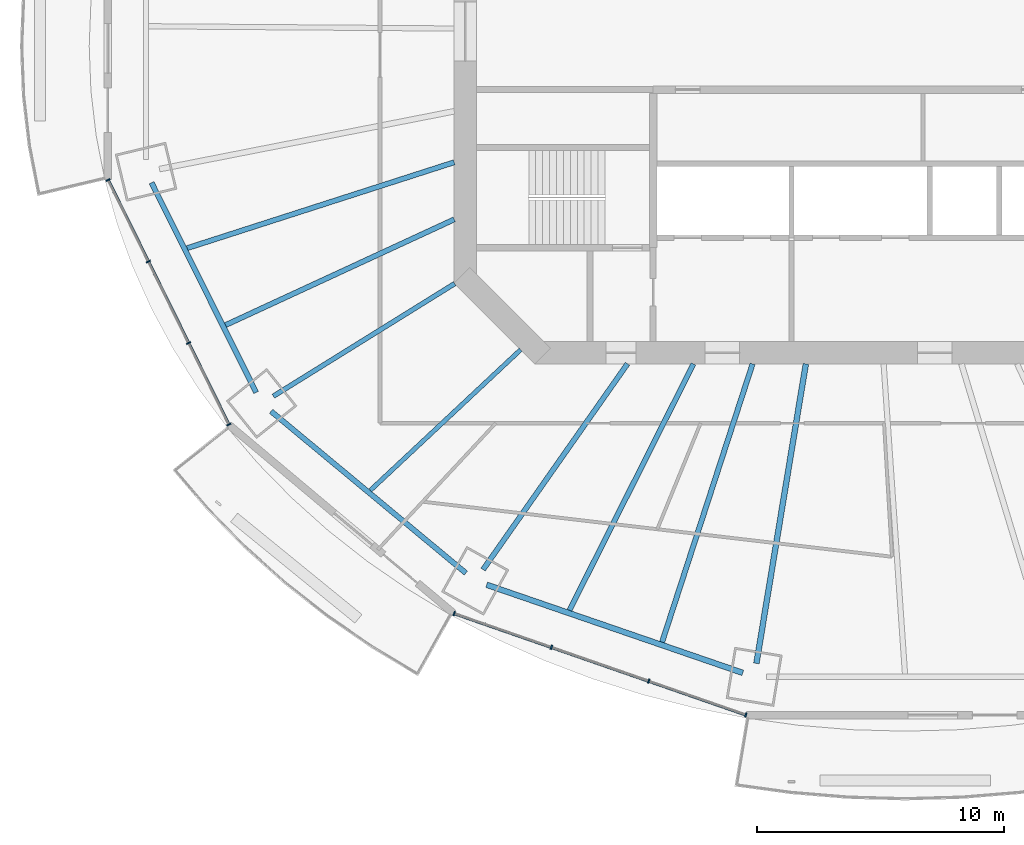
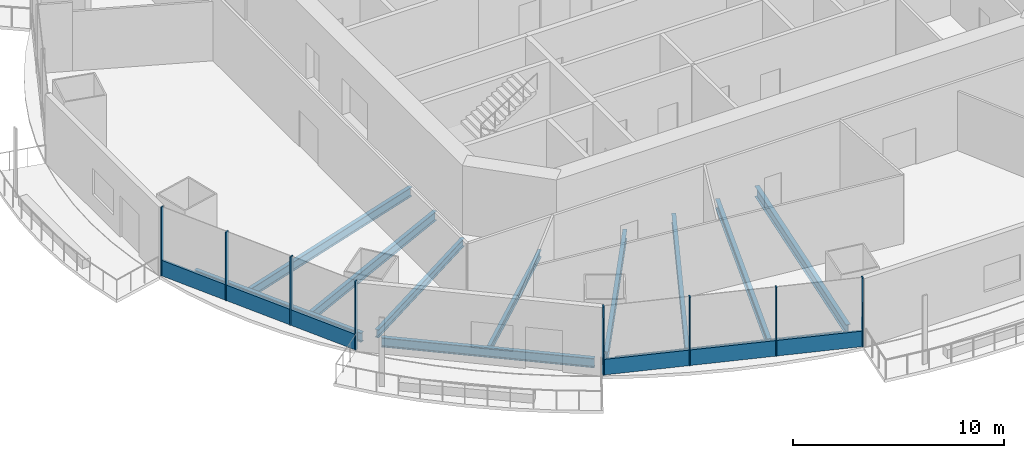
# One storey, part 2 of 21: 11 beams, 10 members, 2 elements without a shape of their own.
"""IFC4 building model written with IfcOpenShell, lengths in metres."""

from ifc_helpers import new_model, si_unit, direction, frame, origin, origin_2d, place, context, subcontext, project, spatial, rectangle, i_section, extrude, material, material_profile, profile_set, type_object, element, aggregate, save


model = new_model("IFC4")

# Units and contexts
model_context = context("Model", 3, precision=1e-05, world=origin(), true_north=direction((0.0, 1.0)))
body_context = subcontext(model_context, "Body", "Model", "MODEL_VIEW")
ifc_project = project(units=[si_unit("LENGTHUNIT", "METRE"), si_unit("AREAUNIT", "SQUARE_METRE"), si_unit("VOLUMEUNIT", "CUBIC_METRE"), si_unit("PLANEANGLEUNIT", "RADIAN"), si_unit("MASSUNIT", "GRAM", prefix="KILO")], contexts=[model_context])

# Site, building, storey
site_placement = place(None, origin())
site = spatial("IfcSite", under=ifc_project, at=site_placement, CompositionType="ELEMENT")
building_placement = place(site_placement, origin())
building = spatial("IfcBuilding", under=site, at=building_placement, Name="Marenthal Gate Tower", CompositionType="ELEMENT")
storey_placement = place(building_placement, frame((0.0, 0.0, 165.199951171875)))
storey = spatial("IfcBuildingStorey", under=building, at=storey_placement, Name="L35", CompositionType="ELEMENT", Elevation=165.199951171875)

# Curtain wall, members
ifc_material_1 = material(Name="Aluminium and glass", Category="aluminium")
curtain_wall_type = type_object("IfcCurtainWallType", Name="Curtain wall typical mid", PredefinedType="NOTDEFINED", material=ifc_material_1)
curtain_wall_1_placement = place(storey_placement, origin())
curtain_wall_1 = element("IfcCurtainWall", 1, at=curtain_wall_1_placement, inside=storey, type_object=curtain_wall_type, Name="Curtain wall L35 bay 9", PredefinedType="NOTDEFINED")
ifc_material_2 = material(Name="Aluminium", Category="aluminium")
ifc_material_profile_1 = material_profile(ifc_material_2, rectangle(XDim=0.179931640625, YDim=0.06005859375, at=origin_2d()), Name="60x180 aluminium mullion")
ifc_profile_set_1 = profile_set([ifc_material_profile_1], Name="Aluminium")
member_type_1 = type_object("IfcMemberType", Name="Mullion 60x180 typical mid", PredefinedType="MULLION", material=ifc_profile_set_1)
member_1_placement = place(storey_placement, frame((-30.45361328125, -6.009765625, 0.0), z_axis=(0.0, 0.0, 1.0), x_axis=(0.896608747182, 0.442823615536, 0.0)))
member_1 = element("IfcMember", 2, at=member_1_placement, type_object=member_type_1, Name="Mullion L35 bay 9.1", PredefinedType="MULLION", context=body_context, shape_type="SweptSolid", body=[
    extrude(rectangle(XDim=0.179931640625, YDim=0.06005859375, at=origin_2d()), origin(), (0.0, 0.0, 1.0), 3.969970703125),
])
member_2_placement = place(storey_placement, frame((-28.824951171875, -9.307373046875, 0.0), z_axis=(0.0, 0.0, 1.0), x_axis=(0.896608747182, 0.442823615536, 0.0)))
member_2 = element("IfcMember", 3, at=member_2_placement, type_object=member_type_1, Name="Mullion L35 bay 9.2", PredefinedType="MULLION", context=body_context, shape_type="SweptSolid", body=[
    extrude(rectangle(XDim=0.179931640625, YDim=0.06005859375, at=origin_2d()), origin(), (0.0, 0.0, 1.0), 3.969970703125),
])
member_3_placement = place(storey_placement, frame((-27.1962890625, -12.60498046875, 0.0), z_axis=(0.0, 0.0, 1.0), x_axis=(0.896608747182, 0.442823615536, 0.0)))
member_3 = element("IfcMember", 4, at=member_3_placement, type_object=member_type_1, Name="Mullion L35 bay 9.3", PredefinedType="MULLION", context=body_context, shape_type="SweptSolid", body=[
    extrude(rectangle(XDim=0.179931640625, YDim=0.06005859375, at=origin_2d()), origin(), (0.0, 0.0, 1.0), 3.969970703125),
])
member_4_placement = place(storey_placement, frame((-25.56787109375, -15.90234375, 0.0), z_axis=(0.0, 0.0, 1.0), x_axis=(0.896608747182, 0.442823615536, 0.0)))
member_4 = element("IfcMember", 5, at=member_4_placement, type_object=member_type_1, Name="Mullion L35 bay 9.4", PredefinedType="MULLION", context=body_context, shape_type="SweptSolid", body=[
    extrude(rectangle(XDim=0.179931640625, YDim=0.06005859375, at=origin_2d()), origin(), (0.0, 0.0, 1.0), 3.969970703125),
])

curtain_wall_2_placement = place(storey_placement, origin())
curtain_wall_2 = element("IfcCurtainWall", 6, at=curtain_wall_2_placement, inside=storey, type_object=curtain_wall_type, Name="Curtain wall L35 bay 11", PredefinedType="NOTDEFINED")
member_5_placement = place(storey_placement, frame((-16.449462890625, -23.5517578125, 0.0), z_axis=(0.0, 0.0, 1.0), x_axis=(0.328157600538, 0.944622987868, 0.0)))
member_5 = element("IfcMember", 7, at=member_5_placement, type_object=member_type_1, Name="Mullion L35 bay 11.1", PredefinedType="MULLION", context=body_context, shape_type="SweptSolid", body=[
    extrude(rectangle(XDim=0.179931640625, YDim=0.06005859375, at=origin_2d()), origin(), (0.0, 0.0, 1.0), 3.969970703125),
])
member_6_placement = place(storey_placement, frame((-12.51513671875, -24.91845703125, 0.0), z_axis=(0.0, 0.0, 1.0), x_axis=(0.328157600538, 0.944622987868, 0.0)))
member_6 = element("IfcMember", 8, at=member_6_placement, type_object=member_type_1, Name="Mullion L35 bay 11.2", PredefinedType="MULLION", context=body_context, shape_type="SweptSolid", body=[
    extrude(rectangle(XDim=0.179931640625, YDim=0.06005859375, at=origin_2d()), origin(), (0.0, 0.0, 1.0), 3.969970703125),
])
member_7_placement = place(storey_placement, frame((-8.580810546875, -26.28515625, 0.0), z_axis=(0.0, 0.0, 1.0), x_axis=(0.328157600538, 0.944622987868, 0.0)))
member_7 = element("IfcMember", 9, at=member_7_placement, type_object=member_type_1, Name="Mullion L35 bay 11.3", PredefinedType="MULLION", context=body_context, shape_type="SweptSolid", body=[
    extrude(rectangle(XDim=0.179931640625, YDim=0.06005859375, at=origin_2d()), origin(), (0.0, 0.0, 1.0), 3.969970703125),
])
member_8_placement = place(storey_placement, frame((-4.646728515625, -27.65185546875, 0.0), z_axis=(0.0, 0.0, 1.0), x_axis=(0.328157600538, 0.944622987868, 0.0)))
member_8 = element("IfcMember", 10, at=member_8_placement, type_object=member_type_1, Name="Mullion L35 bay 11.4", PredefinedType="MULLION", context=body_context, shape_type="SweptSolid", body=[
    extrude(rectangle(XDim=0.179931640625, YDim=0.06005859375, at=origin_2d()), origin(), (0.0, 0.0, 1.0), 3.969970703125),
])

# Member
ifc_material_3 = material(Name="Aluminium", Category="aluminium")
ifc_material_profile_2 = material_profile(ifc_material_3, rectangle(XDim=0.1201171875, YDim=0.89990234375, at=origin_2d()), Name="120x900 aluminium transom")
ifc_profile_set_2 = profile_set([ifc_material_profile_2], Name="Aluminium")
member_type_2 = type_object("IfcMemberType", Name="Transom 120x900 typical mid", PredefinedType="USERDEFINED", material=ifc_profile_set_2)
member_9_placement = place(storey_placement, frame((-30.4404296875, -6.03662109375, 0.449951171875), z_axis=(0.442829775425, -0.896605704865, 0.0), x_axis=(0.896605704865, 0.442829775425, 0.0)))
member_9 = element("IfcMember", 11, at=member_9_placement, type_object=member_type_2, Name="Transom L35 bay 9", ObjectType="TRANSOM", PredefinedType="USERDEFINED", context=body_context, shape_type="SweptSolid", body=[
    extrude(rectangle(XDim=0.1201171875, YDim=0.89990234375, at=origin_2d()), origin(), (0.0, 0.0, 1.0), 10.973388671875),
])

aggregate(curtain_wall_1, [member_1, member_2, member_3, member_4, member_9])

member_10_placement = place(storey_placement, frame((-16.421142578125, -23.5615234375, 0.449951171875), z_axis=(0.944622278222, -0.328159643295, 0.0), x_axis=(0.328159643295, 0.944622278222, 0.0)))
member_10 = element("IfcMember", 12, at=member_10_placement, type_object=member_type_2, Name="Transom L35 bay 11", ObjectType="TRANSOM", PredefinedType="USERDEFINED", context=body_context, shape_type="SweptSolid", body=[
    extrude(rectangle(XDim=0.1201171875, YDim=0.89990234375, at=origin_2d()), origin(), (0.0, 0.0, 1.0), 12.434814453125),
])

aggregate(curtain_wall_2, [member_5, member_6, member_7, member_8, member_10])

# Beams
ifc_material_4 = material(Name="Steel S355", Category="steel")
ifc_material_profile_3 = material_profile(ifc_material_4, i_section(OverallWidth=0.180908203125, OverallDepth=0.4169921875, WebThickness=0.010986328125, FlangeThickness=0.018310546875, FilletRadius=0.01025390625, at=origin_2d()), Name="W410X85")
ifc_profile_set_3 = profile_set([ifc_material_profile_3], Name="Steel S355")
beam_type_1 = type_object("IfcBeamType", Name="W410X85 beam", PredefinedType="BEAM", material=ifc_profile_set_3)
beam_1_placement = place(storey_placement, frame((-19.84228515625, -18.56689453125, -0.388427734375), z_axis=(0.730181308965, 0.683253434706, 0.0), x_axis=(-0.683253434706, 0.730181308965, 0.0)))
element("IfcBeam", 13, at=beam_1_placement, inside=storey, type_object=beam_type_1, Name="BM-L35-31", PredefinedType="BEAM", context=body_context, shape_type="SweptSolid", body=[
    extrude(i_section(OverallWidth=0.180908203125, OverallDepth=0.4169921875, WebThickness=0.010986328125, FlangeThickness=0.018310546875, FilletRadius=0.01025390625, at=origin_2d()), origin(), (0.0, 0.0, 1.0), 8.3291015625),
])
ifc_material_5 = material(Name="Steel S355", Category="steel")
ifc_material_profile_4 = material_profile(ifc_material_5, i_section(OverallWidth=0.193115234375, OverallDepth=0.467041015625, WebThickness=0.011474609375, FlangeThickness=0.01904296875, FilletRadius=0.010009765625, at=origin_2d()), Name="W460X97")
ifc_profile_set_4 = profile_set([ifc_material_profile_4], Name="Steel S355")
beam_type_2 = type_object("IfcBeamType", Name="W460X97 beam", PredefinedType="BEAM", material=ifc_profile_set_4)
beam_2_placement = place(storey_placement, frame((-23.766845703125, -14.757080078125, -0.413330078125), z_axis=(0.849570681467, 0.527474792944, 0.0), x_axis=(-0.527474792944, 0.849570681467, 0.0)))
element("IfcBeam", 14, at=beam_2_placement, inside=storey, type_object=beam_type_2, Name="BM-L35-10", PredefinedType="BEAM", context=body_context, shape_type="SweptSolid", body=[
    extrude(i_section(OverallWidth=0.193115234375, OverallDepth=0.467041015625, WebThickness=0.011474609375, FlangeThickness=0.01904296875, FilletRadius=0.010009765625, at=origin_2d()), origin(), (0.0, 0.0, 1.0), 8.632568359375),
])
ifc_material_6 = material(Name="Steel S355", Category="steel")
ifc_material_profile_5 = material_profile(ifc_material_6, i_section(OverallWidth=0.2099609375, OverallDepth=0.535888671875, WebThickness=0.010986328125, FlangeThickness=0.017333984375, FilletRadius=0.0126953125, at=origin_2d()), Name="W530X101")
ifc_profile_set_5 = profile_set([ifc_material_profile_5], Name="Steel S355")
beam_type_3 = type_object("IfcBeamType", Name="W530X101 beam", PredefinedType="BEAM", material=ifc_profile_set_5)
beam_3_placement = place(storey_placement, frame((-27.25634765625, -8.767578125, -0.447998046875), z_axis=(0.951962078631, 0.306215938268, 0.0), x_axis=(-0.306215938268, 0.951962078631, 0.0)))
element("IfcBeam", 15, at=beam_3_placement, inside=storey, type_object=beam_type_3, Name="BM-L35-29", PredefinedType="BEAM", context=body_context, shape_type="SweptSolid", body=[
    extrude(i_section(OverallWidth=0.2099609375, OverallDepth=0.535888671875, WebThickness=0.010986328125, FlangeThickness=0.017333984375, FilletRadius=0.0126953125, at=origin_2d()), origin(), (0.0, 0.0, 1.0), 11.351806640625),
])
beam_4_placement = place(storey_placement, frame((-25.703369140625, -11.88134765625, -0.447998046875), z_axis=(0.907715301271, 0.419586620185, 0.0), x_axis=(-0.419586620185, 0.907715301271, 0.0)))
element("IfcBeam", 16, at=beam_4_placement, inside=storey, type_object=beam_type_3, Name="BM-L35-30", PredefinedType="BEAM", context=body_context, shape_type="SweptSolid", body=[
    extrude(i_section(OverallWidth=0.2099609375, OverallDepth=0.535888671875, WebThickness=0.010986328125, FlangeThickness=0.017333984375, FilletRadius=0.0126953125, at=origin_2d()), origin(), (0.0, 0.0, 1.0), 10.194091796875),
])
beam_5_placement = place(storey_placement, frame((-11.78466796875, -23.419677734375, -0.447998046875), z_axis=(0.449487147082, 0.893286798631, 0.0), x_axis=(-0.893286798631, 0.449487147082, 0.0)))
element("IfcBeam", 17, at=beam_5_placement, inside=storey, type_object=beam_type_3, Name="BM-L35-32", PredefinedType="BEAM", context=body_context, shape_type="SweptSolid", body=[
    extrude(i_section(OverallWidth=0.2099609375, OverallDepth=0.535888671875, WebThickness=0.010986328125, FlangeThickness=0.017333984375, FilletRadius=0.0126953125, at=origin_2d()), origin(), (0.0, 0.0, 1.0), 11.16064453125),
])
ifc_material_7 = material(Name="Steel S355", Category="steel")
ifc_material_profile_6 = material_profile(ifc_material_7, i_section(OverallWidth=0.2119140625, OverallDepth=0.5439453125, WebThickness=0.01318359375, FlangeThickness=0.021240234375, FilletRadius=0.0126953125, at=origin_2d()), Name="W530X123")
ifc_profile_set_6 = profile_set([ifc_material_profile_6], Name="Steel S355")
beam_type_4 = type_object("IfcBeamType", Name="W530X123 beam", PredefinedType="BEAM", material=ifc_profile_set_6)
beam_6_placement = place(storey_placement, frame((-15.280517578125, -21.773193359375, -0.451904296875), z_axis=(0.574454536537, 0.818536489994, 0.0), x_axis=(-0.818536489994, 0.574454536537, 0.0)))
element("IfcBeam", 18, at=beam_6_placement, inside=storey, type_object=beam_type_4, Name="BM-L35-11", PredefinedType="BEAM", context=body_context, shape_type="SweptSolid", body=[
    extrude(i_section(OverallWidth=0.2119140625, OverallDepth=0.5439453125, WebThickness=0.01318359375, FlangeThickness=0.021240234375, FilletRadius=0.0126953125, at=origin_2d()), origin(), (0.0, 0.0, 1.0), 10.16845703125),
])
beam_7_placement = place(storey_placement, frame((-8.037841796875, -24.70849609375, -0.451904296875), z_axis=(0.309340184781, 0.950951444649, 0.0), x_axis=(-0.950951444649, 0.309340184781, 0.0)))
element("IfcBeam", 19, at=beam_7_placement, inside=storey, type_object=beam_type_4, Name="BM-L35-33", PredefinedType="BEAM", context=body_context, shape_type="SweptSolid", body=[
    extrude(i_section(OverallWidth=0.2119140625, OverallDepth=0.5439453125, WebThickness=0.01318359375, FlangeThickness=0.021240234375, FilletRadius=0.0126953125, at=origin_2d()), origin(), (0.0, 0.0, 1.0), 11.83935546875),
])
beam_8_placement = place(storey_placement, frame((-28.693603515625, -6.122802734375, -0.451904296875), z_axis=(0.446296506962, -0.894885147868, 0.0), x_axis=(0.894885147868, 0.446296506962, 0.0)))
element("IfcBeam", 20, at=beam_8_placement, inside=storey, type_object=beam_type_4, Name="BM-L35-49", PredefinedType="BEAM", context=body_context, shape_type="SweptSolid", body=[
    extrude(i_section(OverallWidth=0.2119140625, OverallDepth=0.5439453125, WebThickness=0.01318359375, FlangeThickness=0.021240234375, FilletRadius=0.0126953125, at=origin_2d()), origin(), (0.0, 0.0, 1.0), 9.4794921875),
])
beam_9_placement = place(storey_placement, frame((-23.860107421875, -15.36767578125, -0.451904296875), z_axis=(0.769269111774, -0.638924904563, 0.0), x_axis=(0.638924904563, 0.769269111774, 0.0)))
element("IfcBeam", 21, at=beam_9_placement, inside=storey, type_object=beam_type_4, Name="BM-L35-50", PredefinedType="BEAM", context=body_context, shape_type="SweptSolid", body=[
    extrude(i_section(OverallWidth=0.2119140625, OverallDepth=0.5439453125, WebThickness=0.01318359375, FlangeThickness=0.021240234375, FilletRadius=0.0126953125, at=origin_2d()), origin(), (0.0, 0.0, 1.0), 10.24560546875),
])
ifc_material_8 = material(Name="Steel S355", Category="steel")
ifc_material_profile_7 = material_profile(ifc_material_8, i_section(OverallWidth=0.22900390625, OverallDepth=0.612060546875, WebThickness=0.011962890625, FlangeThickness=0.01953125, FilletRadius=0.0126953125, at=origin_2d()), Name="W610X125")
ifc_profile_set_7 = profile_set([ifc_material_profile_7], Name="Steel S355")
beam_type_5 = type_object("IfcBeamType", Name="W610X125 beam", PredefinedType="BEAM", material=ifc_profile_set_7)
beam_10_placement = place(storey_placement, frame((-4.220458984375, -25.569580078125, -0.48583984375), z_axis=(0.162858182695, 0.98664948808, 0.0), x_axis=(-0.98664948808, 0.162858182695, 0.0)))
element("IfcBeam", 22, at=beam_10_placement, inside=storey, type_object=beam_type_5, Name="BM-L35-12", PredefinedType="BEAM", context=body_context, shape_type="SweptSolid", body=[
    extrude(i_section(OverallWidth=0.22900390625, OverallDepth=0.612060546875, WebThickness=0.011962890625, FlangeThickness=0.01953125, FilletRadius=0.0126953125, at=origin_2d()), origin(), (0.0, 0.0, 1.0), 12.28369140625),
])
beam_11_placement = place(storey_placement, frame((-15.136474609375, -22.3876953125, -0.48583984375), z_axis=(0.945610391529, -0.32530137939, 0.0), x_axis=(0.32530137939, 0.945610391529, 0.0)))
element("IfcBeam", 23, at=beam_11_placement, inside=storey, type_object=beam_type_5, Name="BM-L35-51", PredefinedType="BEAM", context=body_context, shape_type="SweptSolid", body=[
    extrude(i_section(OverallWidth=0.22900390625, OverallDepth=0.612060546875, WebThickness=0.011962890625, FlangeThickness=0.01953125, FilletRadius=0.0126953125, at=origin_2d()), origin(), (0.0, 0.0, 1.0), 10.96044921875),
])

save(model, "model.ifc")
